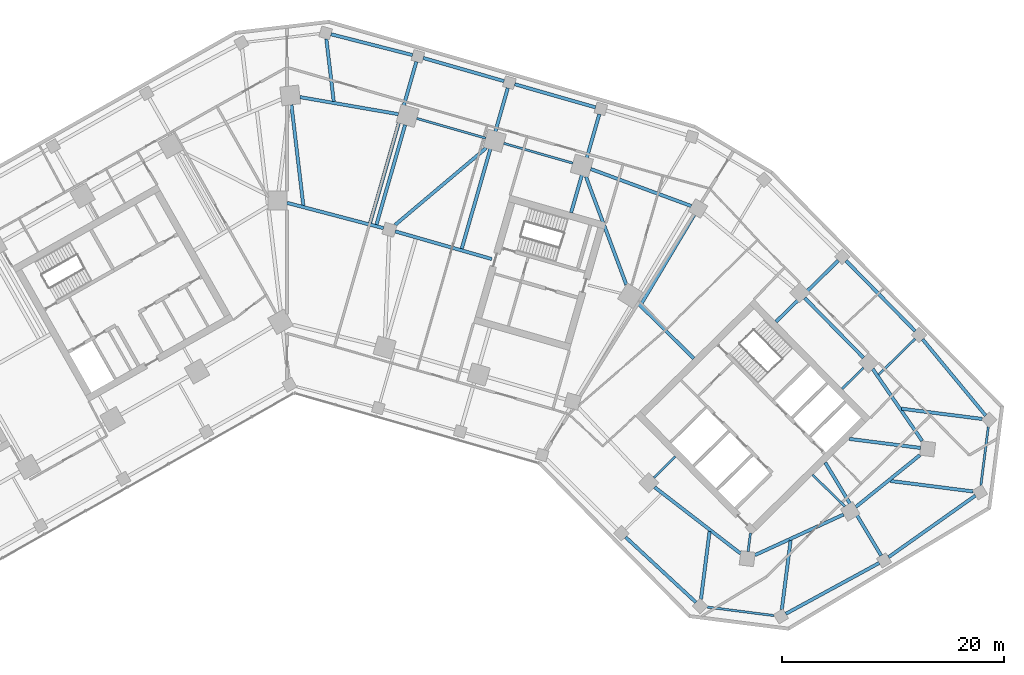
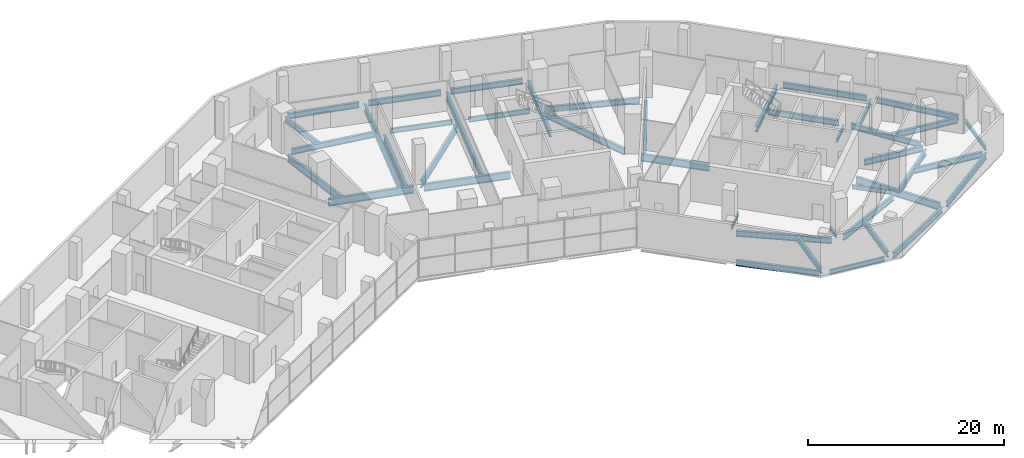
# One storey, part 6 of 16: 43 beams.
"""IFC4 building model written with IfcOpenShell, lengths in metres."""

from ifc_helpers import new_model, si_unit, direction, frame, origin, origin_2d, place, context, subcontext, project, spatial, i_section, extrude, material, material_profile, profile_set, type_object, element, save


model = new_model("IFC4")

# Units and contexts
model_context = context("Model", 3, precision=1e-05, world=origin(), true_north=direction((0.0, 1.0)))
body_context = subcontext(model_context, "Body", "Model", "MODEL_VIEW")
ifc_project = project(units=[si_unit("LENGTHUNIT", "METRE"), si_unit("AREAUNIT", "SQUARE_METRE"), si_unit("VOLUMEUNIT", "CUBIC_METRE"), si_unit("PLANEANGLEUNIT", "RADIAN"), si_unit("MASSUNIT", "GRAM", prefix="KILO")], contexts=[model_context])

# Site, building, storey
site_placement = place(None, origin())
site = spatial("IfcSite", under=ifc_project, at=site_placement, CompositionType="ELEMENT")
building_placement = place(site_placement, origin())
building = spatial("IfcBuilding", under=site, at=building_placement, Name="Binnacle Exchange Tower", CompositionType="ELEMENT")
storey_placement = place(building_placement, frame((0.0, 0.0, 21.5)))
storey = spatial("IfcBuildingStorey", under=building, at=storey_placement, Name="L04", CompositionType="ELEMENT", Elevation=21.5)

# Beams
ifc_material = material(Name="Steel S355 (SHN355)", Category="steel")
ifc_material_profile_1 = material_profile(ifc_material, i_section(OverallWidth=0.200927734375, OverallDepth=0.506103515625, WebThickness=0.010986328125, FlangeThickness=0.01904296875, FilletRadius=0.02001953125, at=origin_2d()), Name="H 506x201x11x19")
ifc_profile_set_1 = profile_set([ifc_material_profile_1], Name="Steel S355 (SHN355)")
beam_type_1 = type_object("IfcBeamType", Name="Edge girder H 506x201x11x19 Steel S355 (SHN355)", PredefinedType="SPANDREL", material=ifc_profile_set_1)
beam_1_placement = place(storey_placement, frame((63.271728515625, 39.56591796875, -0.60302734375), z_axis=(-0.126220609822, -0.992002196397, 0.0), x_axis=(0.992002196397, -0.126220609822, 0.0)))
element("IfcBeam", 1, at=beam_1_placement, inside=storey, type_object=beam_type_1, Name="S:BM:edge:L04:075", PredefinedType="SPANDREL", context=body_context, shape_type="SweptSolid", body=[
    extrude(i_section(OverallWidth=0.200927734375, OverallDepth=0.506103515625, WebThickness=0.010986328125, FlangeThickness=0.01904296875, FilletRadius=0.02001953125, at=origin_2d()), origin(), (0.0, 0.0, 1.0), 5.319091796875),
])
ifc_material_profile_2 = material_profile(ifc_material, i_section(OverallWidth=0.200927734375, OverallDepth=0.60595703125, WebThickness=0.011962890625, FlangeThickness=0.02001953125, FilletRadius=0.02197265625, at=origin_2d()), Name="H 606x201x12x20")
ifc_profile_set_2 = profile_set([ifc_material_profile_2], Name="Steel S355 (SHN355)")
beam_type_2 = type_object("IfcBeamType", Name="Edge girder H 606x201x12x20 Steel S355 (SHN355)", PredefinedType="SPANDREL", material=ifc_profile_set_2)
beam_2_placement = place(storey_placement, frame((43.931884765625, 22.540283203125, -0.653076171875), z_axis=(-0.992003760978, 0.126208312743, 0.0), x_axis=(-0.126208312743, -0.992003760978, 0.0)))
element("IfcBeam", 2, at=beam_2_placement, inside=storey, type_object=beam_type_2, Name="S:BM:edge:L04:066", PredefinedType="SPANDREL", context=body_context, shape_type="SweptSolid", body=[
    extrude(i_section(OverallWidth=0.200927734375, OverallDepth=0.60595703125, WebThickness=0.011962890625, FlangeThickness=0.02001953125, FilletRadius=0.02197265625, at=origin_2d()), origin(), (0.0, 0.0, 1.0), 6.081787109375),
])
ifc_material_profile_3 = material_profile(ifc_material, i_section(OverallWidth=0.201904296875, OverallDepth=0.612060546875, WebThickness=0.012939453125, FlangeThickness=0.02294921875, FilletRadius=0.02197265625, at=origin_2d()), Name="H 612x202x13x23")
ifc_profile_set_3 = profile_set([ifc_material_profile_3], Name="Steel S355 (SHN355)")
beam_type_3 = type_object("IfcBeamType", Name="Edge girder H 612x202x13x23 Steel S355 (SHN355)", PredefinedType="SPANDREL", material=ifc_profile_set_3)
for number, where, z_axis, x_axis, name in (
    (3, (17.92919921875, 65.610595703125, -0.656005859375), (-0.961261624999, 0.275637603213, 0.0), (-0.275637603213, -0.961261624999, 0.0), "S:BM:edge:L04:052"),
    (4, (25.78564453125, 63.35791015625, -0.656005859375), (-0.961271618025, 0.275602751036, 0.0), (-0.275602751036, -0.961271618025, 0.0), "S:BM:edge:L04:056"),
):
    element("IfcBeam", number, at=place(storey_placement, frame(where, z_axis=z_axis, x_axis=x_axis)), inside=storey, type_object=beam_type_3, Name=name, PredefinedType="SPANDREL", context=body_context, shape_type="SweptSolid", body=[
        extrude(i_section(OverallWidth=0.201904296875, OverallDepth=0.612060546875, WebThickness=0.012939453125, FlangeThickness=0.02294921875, FilletRadius=0.02197265625, at=origin_2d()), origin(), (0.0, 0.0, 1.0), 6.472900390625),
    ])
ifc_material_profile_4 = material_profile(ifc_material, i_section(OverallWidth=0.300048828125, OverallDepth=0.699951171875, WebThickness=0.012939453125, FlangeThickness=0.02392578125, FilletRadius=0.028076171875, at=origin_2d()), Name="H 700x300x13x24")
ifc_profile_set_4 = profile_set([ifc_material_profile_4], Name="Steel S355 (SHN355)")
beam_type_4 = type_object("IfcBeamType", Name="Edge girder H 700x300x13x24 Steel S355 (SHN355)", PredefinedType="SPANDREL", material=ifc_profile_set_4)
beam_3_placement = place(storey_placement, frame((3.970703125, 74.985595703125, -0.699951171875), z_axis=(0.96888078872, -0.247527811062, 0.0), x_axis=(0.247527811062, 0.96888078872, 0.0)))
element("IfcBeam", 5, at=beam_3_placement, inside=storey, type_object=beam_type_4, Name="S:BM:edge:L04:046", PredefinedType="SPANDREL", context=body_context, shape_type="SweptSolid", body=[
    extrude(i_section(OverallWidth=0.300048828125, OverallDepth=0.699951171875, WebThickness=0.012939453125, FlangeThickness=0.02392578125, FilletRadius=0.028076171875, at=origin_2d()), origin(), (0.0, 0.0, 1.0), 7.589599609375),
])
beam_4_placement = place(storey_placement, frame((10.047607421875, 67.77490234375, -0.699951171875), z_axis=(-0.985312460293, 0.17076110679, 0.0), x_axis=(-0.17076110679, -0.985312460293, 0.0)))
element("IfcBeam", 6, at=beam_4_placement, inside=storey, type_object=beam_type_4, Name="S:BM:edge:L04:049", PredefinedType="SPANDREL", context=body_context, shape_type="SweptSolid", body=[
    extrude(i_section(OverallWidth=0.300048828125, OverallDepth=0.699951171875, WebThickness=0.012939453125, FlangeThickness=0.02392578125, FilletRadius=0.028076171875, at=origin_2d()), origin(), (0.0, 0.0, 1.0), 9.005859375),
])
beam_5_placement = place(storey_placement, frame((12.289306640625, 72.84521484375, -0.699951171875), z_axis=(0.961270944274, -0.275605100996, 0.0), x_axis=(0.275605100996, 0.961270944274, 0.0)))
element("IfcBeam", 7, at=beam_5_placement, inside=storey, type_object=beam_type_4, Name="S:BM:edge:L04:050", PredefinedType="SPANDREL", context=body_context, shape_type="SweptSolid", body=[
    extrude(i_section(OverallWidth=0.300048828125, OverallDepth=0.699951171875, WebThickness=0.012939453125, FlangeThickness=0.02392578125, FilletRadius=0.028076171875, at=origin_2d()), origin(), (0.0, 0.0, 1.0), 7.586181640625),
])
beam_6_placement = place(storey_placement, frame((20.54296875, 70.478759765625, -0.699951171875), z_axis=(0.961262417922, -0.275634837948, 0.0), x_axis=(0.275634837948, 0.961262417922, 0.0)))
element("IfcBeam", 8, at=beam_6_placement, inside=storey, type_object=beam_type_4, Name="S:BM:edge:L04:054", PredefinedType="SPANDREL", context=body_context, shape_type="SweptSolid", body=[
    extrude(i_section(OverallWidth=0.300048828125, OverallDepth=0.699951171875, WebThickness=0.012939453125, FlangeThickness=0.02392578125, FilletRadius=0.028076171875, at=origin_2d()), origin(), (0.0, 0.0, 1.0), 7.58642578125),
])
beam_7_placement = place(storey_placement, frame((36.89990234375, 23.728515625, -0.699951171875), z_axis=(-0.733314595009, 0.679889479803, 0.0), x_axis=(-0.679889479803, -0.733314595009, 0.0)))
element("IfcBeam", 9, at=beam_7_placement, inside=storey, type_object=beam_type_4, Name="S:BM:edge:L04:062", PredefinedType="SPANDREL", context=body_context, shape_type="SweptSolid", body=[
    extrude(i_section(OverallWidth=0.300048828125, OverallDepth=0.699951171875, WebThickness=0.012939453125, FlangeThickness=0.02392578125, FilletRadius=0.028076171875, at=origin_2d()), origin(), (0.0, 0.0, 1.0), 8.67333984375),
])
beam_8_placement = place(storey_placement, frame((42.215576171875, 27.99365234375, -0.699951171875), z_axis=(0.909179052108, 0.416405392866, 0.0), x_axis=(-0.416405392866, 0.909179052108, 0.0)))
element("IfcBeam", 10, at=beam_8_placement, inside=storey, type_object=beam_type_4, Name="S:BM:edge:L04:064", PredefinedType="SPANDREL", context=body_context, shape_type="SweptSolid", body=[
    extrude(i_section(OverallWidth=0.300048828125, OverallDepth=0.699951171875, WebThickness=0.012939453125, FlangeThickness=0.02392578125, FilletRadius=0.028076171875, at=origin_2d()), origin(), (0.0, 0.0, 1.0), 8.801025390625),
])
beam_9_placement = place(storey_placement, frame((50.436279296875, 54.553466796875, -0.699951171875), z_axis=(0.700891088092, -0.713268310408, 0.0), x_axis=(0.713268310408, 0.700891088092, 0.0)))
element("IfcBeam", 11, at=beam_9_placement, inside=storey, type_object=beam_type_4, Name="S:BM:edge:L04:068", PredefinedType="SPANDREL", context=body_context, shape_type="SweptSolid", body=[
    extrude(i_section(OverallWidth=0.300048828125, OverallDepth=0.699951171875, WebThickness=0.012939453125, FlangeThickness=0.02392578125, FilletRadius=0.028076171875, at=origin_2d()), origin(), (0.0, 0.0, 1.0), 8.89599609375),
])
beam_10_placement = place(storey_placement, frame((52.010986328125, 45.802978515625, -0.699951171875), z_axis=(-0.700905226564, 0.713254417004, 0.0), x_axis=(-0.713254417004, -0.700905226564, 0.0)))
element("IfcBeam", 12, at=beam_10_placement, inside=storey, type_object=beam_type_4, Name="S:BM:edge:L04:070", PredefinedType="SPANDREL", context=body_context, shape_type="SweptSolid", body=[
    extrude(i_section(OverallWidth=0.300048828125, OverallDepth=0.699951171875, WebThickness=0.012939453125, FlangeThickness=0.02392578125, FilletRadius=0.028076171875, at=origin_2d()), origin(), (0.0, 0.0, 1.0), 7.57177734375),
])
beam_11_placement = place(storey_placement, frame((53.42431640625, 27.28369140625, -0.699951171875), z_axis=(-0.878284521439, -0.478138368468, 0.0), x_axis=(0.478138368468, -0.878284521439, 0.0)))
element("IfcBeam", 13, at=beam_11_placement, inside=storey, type_object=beam_type_4, Name="S:BM:edge:L04:071", PredefinedType="SPANDREL", context=body_context, shape_type="SweptSolid", body=[
    extrude(i_section(OverallWidth=0.300048828125, OverallDepth=0.699951171875, WebThickness=0.012939453125, FlangeThickness=0.02392578125, FilletRadius=0.028076171875, at=origin_2d()), origin(), (0.0, 0.0, 1.0), 9.588134765625),
])
beam_12_placement = place(storey_placement, frame((57.341796875, 47.46484375, -0.699951171875), z_axis=(0.63729683622, -0.770618415653, 0.0), x_axis=(0.770618415653, 0.63729683622, 0.0)))
element("IfcBeam", 14, at=beam_12_placement, inside=storey, type_object=beam_type_4, Name="S:BM:edge:L04:073", PredefinedType="SPANDREL", context=body_context, shape_type="SweptSolid", body=[
    extrude(i_section(OverallWidth=0.300048828125, OverallDepth=0.699951171875, WebThickness=0.012939453125, FlangeThickness=0.02392578125, FilletRadius=0.028076171875, at=origin_2d()), origin(), (0.0, 0.0, 1.0), 8.928955078125),
])
beam_13_placement = place(storey_placement, frame((62.111083984375, 33.36767578125, -0.699951171875), z_axis=(-0.815901600123, -0.578190780726, 0.0), x_axis=(0.578190780726, -0.815901600123, 0.0)))
element("IfcBeam", 15, at=beam_13_placement, inside=storey, type_object=beam_type_4, Name="S:BM:edge:L04:074", PredefinedType="SPANDREL", context=body_context, shape_type="SweptSolid", body=[
    extrude(i_section(OverallWidth=0.300048828125, OverallDepth=0.699951171875, WebThickness=0.012939453125, FlangeThickness=0.02392578125, FilletRadius=0.028076171875, at=origin_2d()), origin(), (0.0, 0.0, 1.0), 9.60693359375),
])
ifc_material_profile_5 = material_profile(ifc_material, i_section(OverallWidth=0.302001953125, OverallDepth=0.7080078125, WebThickness=0.014892578125, FlangeThickness=0.028076171875, FilletRadius=0.028076171875, at=origin_2d()), Name="H 708x302x15x28")
ifc_profile_set_5 = profile_set([ifc_material_profile_5], Name="Steel S355 (SHN355)")
beam_type_5 = type_object("IfcBeamType", Name="Edge girder H 708x302x15x28 Steel S355 (SHN355)", PredefinedType="SPANDREL", material=ifc_profile_set_5)
beam_14_placement = place(storey_placement, frame((33.160400390625, 34.12890625, -0.7041015625), z_axis=(0.791533490776, -0.611125791454, 0.0), x_axis=(0.611125791454, 0.791533490776, 0.0)))
element("IfcBeam", 16, at=beam_14_placement, inside=storey, type_object=beam_type_5, Name="S:BM:edge:L04:060", PredefinedType="SPANDREL", context=body_context, shape_type="SweptSolid", body=[
    extrude(i_section(OverallWidth=0.302001953125, OverallDepth=0.7080078125, WebThickness=0.014892578125, FlangeThickness=0.028076171875, FilletRadius=0.028076171875, at=origin_2d()), origin(), (0.0, 0.0, 1.0), 9.80712890625),
])
beam_15_placement = place(storey_placement, frame((36.464599609375, 59.490966796875, -0.7041015625), z_axis=(-0.938368148393, 0.345637408395, 0.0), x_axis=(-0.345637408395, -0.938368148393, 0.0)))
element("IfcBeam", 17, at=beam_15_placement, inside=storey, type_object=beam_type_5, Name="S:BM:edge:L04:061", PredefinedType="SPANDREL", context=body_context, shape_type="SweptSolid", body=[
    extrude(i_section(OverallWidth=0.302001953125, OverallDepth=0.7080078125, WebThickness=0.014892578125, FlangeThickness=0.028076171875, FilletRadius=0.028076171875, at=origin_2d()), origin(), (0.0, 0.0, 1.0), 9.6572265625),
])
beam_16_placement = place(storey_placement, frame((51.322265625, 32.343505859375, -0.7041015625), z_axis=(0.777568489665, 0.628798253719, 0.0), x_axis=(-0.628798253719, 0.777568489665, 0.0)))
element("IfcBeam", 18, at=beam_16_placement, inside=storey, type_object=beam_type_5, Name="S:BM:edge:L04:069", PredefinedType="SPANDREL", context=body_context, shape_type="SweptSolid", body=[
    extrude(i_section(OverallWidth=0.302001953125, OverallDepth=0.7080078125, WebThickness=0.014892578125, FlangeThickness=0.028076171875, FilletRadius=0.028076171875, at=origin_2d()), origin(), (0.0, 0.0, 1.0), 7.428955078125),
])
beam_17_placement = place(storey_placement, frame((57.305419921875, 38.299072265625, -0.7041015625), z_axis=(-0.566409202341, 0.82412415054, 0.0), x_axis=(-0.82412415054, -0.566409202341, 0.0)))
element("IfcBeam", 19, at=beam_17_placement, inside=storey, type_object=beam_type_5, Name="S:BM:edge:L04:072", PredefinedType="SPANDREL", context=body_context, shape_type="SweptSolid", body=[
    extrude(i_section(OverallWidth=0.302001953125, OverallDepth=0.7080078125, WebThickness=0.014892578125, FlangeThickness=0.028076171875, FilletRadius=0.028076171875, at=origin_2d()), origin(), (0.0, 0.0, 1.0), 7.8828125),
])
ifc_material_profile_6 = material_profile(ifc_material, i_section(OverallWidth=0.199951171875, OverallDepth=0.39990234375, WebThickness=0.008056640625, FlangeThickness=0.012939453125, FilletRadius=0.01611328125, at=origin_2d()), Name="H 400x200x8x13")
ifc_profile_set_6 = profile_set([ifc_material_profile_6], Name="Steel S355 (SHN355)")
beam_type_6 = type_object("IfcBeamType", Name="Floor beam H 400x200x8x13 Steel S355 (SHN355)", PredefinedType="BEAM", material=ifc_profile_set_6)
beam_18_placement = place(storey_placement, frame((33.104736328125, 34.985595703125, -0.550048828125), z_axis=(0.713254209224, 0.700905438004, 0.0), x_axis=(-0.700905438004, 0.713254209224, 0.0)))
element("IfcBeam", 20, at=beam_18_placement, inside=storey, type_object=beam_type_6, Name="S:BM:cross:L04:114", PredefinedType="BEAM", context=body_context, shape_type="SweptSolid", body=[
    extrude(i_section(OverallWidth=0.199951171875, OverallDepth=0.39990234375, WebThickness=0.008056640625, FlangeThickness=0.012939453125, FilletRadius=0.01611328125, at=origin_2d()), origin(), (0.0, 0.0, 1.0), 2.70849609375),
])
beam_19_placement = place(storey_placement, frame((41.601806640625, 28.319580078125, -0.550048828125), z_axis=(0.126197116971, 0.992005185303, 0.0), x_axis=(-0.992005185303, 0.126197116971, 0.0)))
element("IfcBeam", 21, at=beam_19_placement, inside=storey, type_object=beam_type_6, Name="S:BM:cross:L04:118", PredefinedType="BEAM", context=body_context, shape_type="SweptSolid", body=[
    extrude(i_section(OverallWidth=0.199951171875, OverallDepth=0.39990234375, WebThickness=0.008056640625, FlangeThickness=0.012939453125, FilletRadius=0.01611328125, at=origin_2d()), origin(), (0.0, 0.0, 1.0), 1.68115234375),
])
beam_20_placement = place(storey_placement, frame((52.003173828125, 44.8837890625, -0.550048828125), z_axis=(-0.713254209224, -0.700905438004, 0.0), x_axis=(0.700905438004, -0.713254209224, 0.0)))
element("IfcBeam", 22, at=beam_20_placement, inside=storey, type_object=beam_type_6, Name="S:BM:cross:L04:122", PredefinedType="BEAM", context=body_context, shape_type="SweptSolid", body=[
    extrude(i_section(OverallWidth=0.199951171875, OverallDepth=0.39990234375, WebThickness=0.008056640625, FlangeThickness=0.012939453125, FilletRadius=0.01611328125, at=origin_2d()), origin(), (0.0, 0.0, 1.0), 2.70849609375),
])
ifc_material_profile_7 = material_profile(ifc_material, i_section(OverallWidth=0.199951171875, OverallDepth=0.60009765625, WebThickness=0.010986328125, FlangeThickness=0.01708984375, FilletRadius=0.02197265625, at=origin_2d()), Name="H 600x200x11x17")
ifc_profile_set_7 = profile_set([ifc_material_profile_7], Name="Steel S355 (SHN355)")
beam_type_7 = type_object("IfcBeamType", Name="Floor beam H 600x200x11x17 Steel S355 (SHN355)", PredefinedType="BEAM", material=ifc_profile_set_7)
beam_21_placement = place(storey_placement, frame((56.665283203125, 47.501220703125, -0.64990234375), z_axis=(-0.713253693622, -0.70090596269, 0.0), x_axis=(0.70090596269, -0.713253693622, 0.0)))
element("IfcBeam", 23, at=beam_21_placement, inside=storey, type_object=beam_type_7, Name="S:BM:cross:L04:124", PredefinedType="BEAM", context=body_context, shape_type="SweptSolid", body=[
    extrude(i_section(OverallWidth=0.199951171875, OverallDepth=0.60009765625, WebThickness=0.010986328125, FlangeThickness=0.01708984375, FilletRadius=0.02197265625, at=origin_2d()), origin(), (0.0, 0.0, 1.0), 4.60693359375),
])
ifc_material_profile_8 = material_profile(ifc_material, i_section(OverallWidth=0.300048828125, OverallDepth=0.699951171875, WebThickness=0.012939453125, FlangeThickness=0.02392578125, FilletRadius=0.028076171875, at=origin_2d()), Name="H 700x300x13x24")
ifc_profile_set_8 = profile_set([ifc_material_profile_8], Name="Steel S355 (SHN355)")
beam_type_8 = type_object("IfcBeamType", Name="Floor beam H 700x300x13x24 Steel S355 (SHN355)", PredefinedType="BEAM", material=ifc_profile_set_8)
beam_22_placement = place(storey_placement, frame((3.5498046875, 74.571044921875, -0.699951171875), z_axis=(0.117529616855, -0.993069377819, 0.0), x_axis=(0.993069377819, 0.117529616855, 0.0)))
element("IfcBeam", 24, at=beam_22_placement, inside=storey, type_object=beam_type_8, Name="S:BM:cross:L04:104", PredefinedType="BEAM", context=body_context, shape_type="SweptSolid", body=[
    extrude(i_section(OverallWidth=0.300048828125, OverallDepth=0.699951171875, WebThickness=0.012939453125, FlangeThickness=0.02392578125, FilletRadius=0.028076171875, at=origin_2d()), origin(), (0.0, 0.0, 1.0), 5.67919921875),
])
beam_23_placement = place(storey_placement, frame((37.347412109375, 24.019775390625, -0.699951171875), z_axis=(0.126189771205, 0.992006119761, 0.0), x_axis=(-0.992006119761, 0.126189771205, 0.0)))
element("IfcBeam", 25, at=beam_23_placement, inside=storey, type_object=beam_type_8, Name="S:BM:cross:L04:117", PredefinedType="BEAM", context=body_context, shape_type="SweptSolid", body=[
    extrude(i_section(OverallWidth=0.300048828125, OverallDepth=0.699951171875, WebThickness=0.012939453125, FlangeThickness=0.02392578125, FilletRadius=0.028076171875, at=origin_2d()), origin(), (0.0, 0.0, 1.0), 6.162109375),
])
beam_24_placement = place(storey_placement, frame((44.643798828125, 23.091552734375, -0.699951171875), z_axis=(0.126227881038, 0.992001271193, 0.0), x_axis=(-0.992001271193, 0.126227881038, 0.0)))
element("IfcBeam", 26, at=beam_24_placement, inside=storey, type_object=beam_type_8, Name="S:BM:cross:L04:120", PredefinedType="BEAM", context=body_context, shape_type="SweptSolid", body=[
    extrude(i_section(OverallWidth=0.300048828125, OverallDepth=0.699951171875, WebThickness=0.012939453125, FlangeThickness=0.02392578125, FilletRadius=0.028076171875, at=origin_2d()), origin(), (0.0, 0.0, 1.0), 6.287841796875),
])
beam_25_placement = place(storey_placement, frame((57.154296875, 37.6630859375, -0.699951171875), z_axis=(-0.992006658356, 0.126185537116, 0.0), x_axis=(-0.126185537116, -0.992006658356, 0.0)))
element("IfcBeam", 27, at=beam_25_placement, inside=storey, type_object=beam_type_8, Name="S:BM:cross:L04:125", PredefinedType="BEAM", context=body_context, shape_type="SweptSolid", body=[
    extrude(i_section(OverallWidth=0.300048828125, OverallDepth=0.699951171875, WebThickness=0.012939453125, FlangeThickness=0.02392578125, FilletRadius=0.028076171875, at=origin_2d()), origin(), (0.0, 0.0, 1.0), 6.4814453125),
])
ifc_material_profile_9 = material_profile(ifc_material, i_section(OverallWidth=0.302001953125, OverallDepth=0.7080078125, WebThickness=0.014892578125, FlangeThickness=0.028076171875, FilletRadius=0.028076171875, at=origin_2d()), Name="H 708x302x15x28")
ifc_profile_set_9 = profile_set([ifc_material_profile_9], Name="Steel S355 (SHN355)")
beam_type_9 = type_object("IfcBeamType", Name="Floor beam H 708x302x15x28 Steel S355 (SHN355)", PredefinedType="BEAM", material=ifc_profile_set_9)
beam_26_placement = place(storey_placement, frame((49.72900390625, 54.5595703125, -0.7041015625), z_axis=(-0.713254513072, -0.700905128803, 0.0), x_axis=(0.700905128803, -0.713254513072, 0.0)))
element("IfcBeam", 28, at=beam_26_placement, inside=storey, type_object=beam_type_9, Name="S:BM:cross:L04:121", PredefinedType="BEAM", context=body_context, shape_type="SweptSolid", body=[
    extrude(i_section(OverallWidth=0.302001953125, OverallDepth=0.7080078125, WebThickness=0.014892578125, FlangeThickness=0.028076171875, FilletRadius=0.028076171875, at=origin_2d()), origin(), (0.0, 0.0, 1.0), 7.8681640625),
])
beam_27_placement = place(storey_placement, frame((61.888427734375, 33.73779296875, -0.7041015625), z_axis=(-0.992002917096, 0.12621494552, 0.0), x_axis=(-0.12621494552, -0.992002917096, 0.0)))
element("IfcBeam", 29, at=beam_27_placement, inside=storey, type_object=beam_type_9, Name="S:BM:cross:L04:126", PredefinedType="BEAM", context=body_context, shape_type="SweptSolid", body=[
    extrude(i_section(OverallWidth=0.302001953125, OverallDepth=0.7080078125, WebThickness=0.014892578125, FlangeThickness=0.028076171875, FilletRadius=0.028076171875, at=origin_2d()), origin(), (0.0, 0.0, 1.0), 7.551513671875),
])
beam_28_placement = place(storey_placement, frame((62.720458984375, 40.277587890625, -0.7041015625), z_axis=(-0.992000413131, 0.126234624202, 0.0), x_axis=(-0.126234624202, -0.992000413131, 0.0)))
element("IfcBeam", 30, at=beam_28_placement, inside=storey, type_object=beam_type_9, Name="S:BM:cross:L04:127", PredefinedType="BEAM", context=body_context, shape_type="SweptSolid", body=[
    extrude(i_section(OverallWidth=0.302001953125, OverallDepth=0.7080078125, WebThickness=0.014892578125, FlangeThickness=0.028076171875, FilletRadius=0.028076171875, at=origin_2d()), origin(), (0.0, 0.0, 1.0), 7.333740234375),
])
ifc_material_profile_10 = material_profile(ifc_material, i_section(OverallWidth=0.302001953125, OverallDepth=0.80810546875, WebThickness=0.01611328125, FlangeThickness=0.030029296875, FilletRadius=0.028076171875, at=origin_2d()), Name="H 808x302x16x30")
ifc_profile_set_10 = profile_set([ifc_material_profile_10], Name="Steel S355 (SHN355)")
beam_type_10 = type_object("IfcBeamType", Name="Floor beam H 808x302x16x30 Steel S355 (SHN355)", PredefinedType="BEAM", material=ifc_profile_set_10)
beam_29_placement = place(storey_placement, frame((28.17822265625, 67.769287109375, -0.75390625), z_axis=(-0.275646254267, -0.961259144304, 0.0), x_axis=(0.961259144304, -0.275646254267, 0.0)))
element("IfcBeam", 31, at=beam_29_placement, inside=storey, type_object=beam_type_10, Name="S:BM:cross:L04:112", PredefinedType="BEAM", context=body_context, shape_type="SweptSolid", body=[
    extrude(i_section(OverallWidth=0.302001953125, OverallDepth=0.80810546875, WebThickness=0.01611328125, FlangeThickness=0.030029296875, FilletRadius=0.028076171875, at=origin_2d()), origin(), (0.0, 0.0, 1.0), 9.235107421875),
])
ifc_material_profile_11 = material_profile(ifc_material, i_section(OverallWidth=0.300048828125, OverallDepth=0.89990234375, WebThickness=0.01611328125, FlangeThickness=0.028076171875, FilletRadius=0.028076171875, at=origin_2d()), Name="H 900x300x16x28")
ifc_profile_set_11 = profile_set([ifc_material_profile_11], Name="Steel S355 (SHN355)")
beam_type_11 = type_object("IfcBeamType", Name="Floor beam H 900x300x16x28 Steel S355 (SHN355)", PredefinedType="BEAM", material=ifc_profile_set_11)
beam_30_placement = place(storey_placement, frame((0.39990234375, 68.6201171875, -0.800048828125), z_axis=(0.117562643201, -0.993065468599, 0.0), x_axis=(0.993065468599, 0.117562643201, 0.0)))
element("IfcBeam", 32, at=beam_30_placement, inside=storey, type_object=beam_type_11, Name="S:BM:cross:L04:103", PredefinedType="BEAM", context=body_context, shape_type="SweptSolid", body=[
    extrude(i_section(OverallWidth=0.300048828125, OverallDepth=0.89990234375, WebThickness=0.01611328125, FlangeThickness=0.028076171875, FilletRadius=0.028076171875, at=origin_2d()), origin(), (0.0, 0.0, 1.0), 9.14990234375),
])
beam_31_placement = place(storey_placement, frame((36.752685546875, 58.703857421875, -0.800048828125), z_axis=(-0.511298188751, -0.859403375709, 0.0), x_axis=(0.859403375709, -0.511298188751, 0.0)))
element("IfcBeam", 33, at=beam_31_placement, inside=storey, type_object=beam_type_11, Name="S:BM:cross:L04:116", PredefinedType="BEAM", context=body_context, shape_type="SweptSolid", body=[
    extrude(i_section(OverallWidth=0.300048828125, OverallDepth=0.89990234375, WebThickness=0.01611328125, FlangeThickness=0.028076171875, FilletRadius=0.028076171875, at=origin_2d()), origin(), (0.0, 0.0, 1.0), 9.385986328125),
])
ifc_material_profile_12 = material_profile(ifc_material, i_section(OverallWidth=0.302001953125, OverallDepth=0.912109375, WebThickness=0.01806640625, FlangeThickness=0.033935546875, FilletRadius=0.028076171875, at=origin_2d()), Name="H 912x302x18x34")
ifc_profile_set_12 = profile_set([ifc_material_profile_12], Name="Steel S355 (SHN355)")
beam_type_12 = type_object("IfcBeamType", Name="Floor beam H 912x302x18x34 Steel S355 (SHN355)", PredefinedType="BEAM", material=ifc_profile_set_12)
beam_32_placement = place(storey_placement, frame((10.65576171875, 66.81201171875, -0.805908203125), z_axis=(-0.275626703457, -0.961264750389, 0.0), x_axis=(0.961264750389, -0.275626703457, 0.0)))
element("IfcBeam", 34, at=beam_32_placement, inside=storey, type_object=beam_type_12, Name="S:BM:cross:L04:107", PredefinedType="BEAM", context=body_context, shape_type="SweptSolid", body=[
    extrude(i_section(OverallWidth=0.302001953125, OverallDepth=0.912109375, WebThickness=0.01806640625, FlangeThickness=0.033935546875, FilletRadius=0.028076171875, at=origin_2d()), origin(), (0.0, 0.0, 1.0), 9.363525390625),
])
beam_33_placement = place(storey_placement, frame((53.606201171875, 27.95166015625, -0.805908203125), z_axis=(-0.515037836235, 0.857167444112, 0.0), x_axis=(-0.857167444112, -0.515037836235, 0.0)))
element("IfcBeam", 35, at=beam_33_placement, inside=storey, type_object=beam_type_12, Name="S:BM:cross:L04:123", PredefinedType="BEAM", context=body_context, shape_type="SweptSolid", body=[
    extrude(i_section(OverallWidth=0.302001953125, OverallDepth=0.912109375, WebThickness=0.01806640625, FlangeThickness=0.033935546875, FilletRadius=0.028076171875, at=origin_2d()), origin(), (0.0, 0.0, 1.0), 9.800537109375),
])
ifc_material_profile_13 = material_profile(ifc_material, i_section(OverallWidth=0.302978515625, OverallDepth=0.91796875, WebThickness=0.01904296875, FlangeThickness=0.037109375, FilletRadius=0.028076171875, at=origin_2d()), Name="H 918x303x19x37")
ifc_profile_set_13 = profile_set([ifc_material_profile_13], Name="Steel S355 (SHN355)")
beam_type_13 = type_object("IfcBeamType", Name="Floor beam H 918x303x19x37 Steel S355 (SHN355)", PredefinedType="BEAM", material=ifc_profile_set_13)
beam_34_placement = place(storey_placement, frame((11.6708984375, 72.50244140625, -0.80908203125), z_axis=(-0.275622715185, -0.961265893951, 0.0), x_axis=(0.961265893951, -0.275622715185, 0.0)))
element("IfcBeam", 36, at=beam_34_placement, inside=storey, type_object=beam_type_13, Name="S:BM:cross:L04:108", PredefinedType="BEAM", context=body_context, shape_type="SweptSolid", body=[
    extrude(i_section(OverallWidth=0.302978515625, OverallDepth=0.91796875, WebThickness=0.01904296875, FlangeThickness=0.037109375, FilletRadius=0.028076171875, at=origin_2d()), origin(), (0.0, 0.0, 1.0), 15.12646484375),
])
beam_35_placement = place(storey_placement, frame((19.924560546875, 70.135986328125, -0.80908203125), z_axis=(-0.275629445944, -0.961263964023, 0.0), x_axis=(0.961263964023, -0.275629445944, 0.0)))
element("IfcBeam", 37, at=beam_35_placement, inside=storey, type_object=beam_type_13, Name="S:BM:cross:L04:110", PredefinedType="BEAM", context=body_context, shape_type="SweptSolid", body=[
    extrude(i_section(OverallWidth=0.302978515625, OverallDepth=0.91796875, WebThickness=0.01904296875, FlangeThickness=0.037109375, FilletRadius=0.028076171875, at=origin_2d()), origin(), (0.0, 0.0, 1.0), 15.085205078125),
])
ifc_material_profile_14 = material_profile(ifc_material, i_section(OverallWidth=0.199951171875, OverallDepth=0.5, WebThickness=0.010009765625, FlangeThickness=0.01611328125, FilletRadius=0.02001953125, at=origin_2d()), Name="H 500x200x10x16")
ifc_profile_set_14 = profile_set([ifc_material_profile_14], Name="Steel S355 (SHN355)")
beam_type_14 = type_object("IfcBeamType", Name="Spine girder H 500x200x10x16 Steel S355 (SHN355)", PredefinedType="BEAM", material=ifc_profile_set_14)
beam_36_placement = place(storey_placement, frame((47.417236328125, 35.23095703125, -0.60009765625), z_axis=(0.717013275689, -0.697059511437, 0.0), x_axis=(0.697059511437, 0.717013275689, 0.0)))
element("IfcBeam", 38, at=beam_36_placement, inside=storey, type_object=beam_type_14, Name="S:BM:spine:L04:013", PredefinedType="BEAM", context=body_context, shape_type="SweptSolid", body=[
    extrude(i_section(OverallWidth=0.199951171875, OverallDepth=0.5, WebThickness=0.010009765625, FlangeThickness=0.01611328125, FilletRadius=0.02001953125, at=origin_2d()), origin(), (0.0, 0.0, 1.0), 4.06201171875),
])
ifc_material_profile_15 = material_profile(ifc_material, i_section(OverallWidth=0.302001953125, OverallDepth=0.80810546875, WebThickness=0.01611328125, FlangeThickness=0.030029296875, FilletRadius=0.028076171875, at=origin_2d()), Name="H 808x302x16x30")
ifc_profile_set_15 = profile_set([ifc_material_profile_15], Name="Steel S355 (SHN355)")
beam_type_15 = type_object("IfcBeamType", Name="Spine girder H 808x302x16x30 Steel S355 (SHN355)", PredefinedType="BEAM", material=ifc_profile_set_15)
beam_37_placement = place(storey_placement, frame((30.614501953125, 52.389892578125, -0.75390625), z_axis=(-0.350104624168, 0.936710602126, 0.0), x_axis=(-0.936710602126, -0.350104624168, 0.0)))
element("IfcBeam", 39, at=beam_37_placement, inside=storey, type_object=beam_type_15, Name="S:BM:spine:L04:011", PredefinedType="BEAM", context=body_context, shape_type="SweptSolid", body=[
    extrude(i_section(OverallWidth=0.302001953125, OverallDepth=0.80810546875, WebThickness=0.01611328125, FlangeThickness=0.030029296875, FilletRadius=0.028076171875, at=origin_2d()), origin(), (0.0, 0.0, 1.0), 10.4013671875),
])
ifc_material_profile_16 = material_profile(ifc_material, i_section(OverallWidth=0.300048828125, OverallDepth=0.89990234375, WebThickness=0.01611328125, FlangeThickness=0.028076171875, FilletRadius=0.028076171875, at=origin_2d()), Name="H 900x300x16x28")
ifc_profile_set_16 = profile_set([ifc_material_profile_16], Name="Steel S355 (SHN355)")
beam_type_16 = type_object("IfcBeamType", Name="Spine girder H 900x300x16x28 Steel S355 (SHN355)", PredefinedType="BEAM", material=ifc_profile_set_16)
beam_38_placement = place(storey_placement, frame((9.74658203125, 57.77734375, -0.800048828125), z_axis=(0.764072930463, 0.64512987602, 0.0), x_axis=(-0.64512987602, 0.764072930463, 0.0)))
element("IfcBeam", 40, at=beam_38_placement, inside=storey, type_object=beam_type_16, Name="S:BM:spine:L04:008", PredefinedType="BEAM", context=body_context, shape_type="SweptSolid", body=[
    extrude(i_section(OverallWidth=0.300048828125, OverallDepth=0.89990234375, WebThickness=0.01611328125, FlangeThickness=0.028076171875, FilletRadius=0.028076171875, at=origin_2d()), origin(), (0.0, 0.0, 1.0), 10.755615234375),
])
beam_39_placement = place(storey_placement, frame((31.60888671875, 50.773681640625, -0.800048828125), z_axis=(0.711013452478, -0.703178405809, 0.0), x_axis=(0.703178405809, 0.711013452478, 0.0)))
element("IfcBeam", 41, at=beam_39_placement, inside=storey, type_object=beam_type_16, Name="S:BM:spine:L04:012", PredefinedType="BEAM", context=body_context, shape_type="SweptSolid", body=[
    extrude(i_section(OverallWidth=0.300048828125, OverallDepth=0.89990234375, WebThickness=0.01611328125, FlangeThickness=0.028076171875, FilletRadius=0.028076171875, at=origin_2d()), origin(), (0.0, 0.0, 1.0), 7.166748046875),
])
ifc_material_profile_17 = material_profile(ifc_material, i_section(OverallWidth=0.302978515625, OverallDepth=0.91796875, WebThickness=0.01904296875, FlangeThickness=0.037109375, FilletRadius=0.028076171875, at=origin_2d()), Name="H 918x303x19x37")
ifc_profile_set_17 = profile_set([ifc_material_profile_17], Name="Steel S355 (SHN355)")
beam_type_17 = type_object("IfcBeamType", Name="Spine girder H 918x303x19x37 Steel S355 (SHN355)", PredefinedType="BEAM", material=ifc_profile_set_17)
beam_40_placement = place(storey_placement, frame((0.0, 59.77685546875, -0.80908203125), z_axis=(0.967208571477, -0.253983423202, 0.0), x_axis=(0.253983423202, 0.967208571477, 0.0)))
element("IfcBeam", 42, at=beam_40_placement, inside=storey, type_object=beam_type_17, Name="S:BM:spine:L04:006", PredefinedType="BEAM", context=body_context, shape_type="SweptSolid", body=[
    extrude(i_section(OverallWidth=0.302978515625, OverallDepth=0.91796875, WebThickness=0.01904296875, FlangeThickness=0.037109375, FilletRadius=0.028076171875, at=origin_2d()), origin(), (0.0, 0.0, 1.0), 9.00390625),
])
beam_41_placement = place(storey_placement, frame((9.76953125, 57.198486328125, -0.80908203125), z_axis=(0.961265329417, -0.275624684057, 0.0), x_axis=(0.275624684057, 0.961265329417, 0.0)))
element("IfcBeam", 43, at=beam_41_placement, inside=storey, type_object=beam_type_17, Name="S:BM:spine:L04:009", PredefinedType="BEAM", context=body_context, shape_type="SweptSolid", body=[
    extrude(i_section(OverallWidth=0.302978515625, OverallDepth=0.91796875, WebThickness=0.01904296875, FlangeThickness=0.037109375, FilletRadius=0.028076171875, at=origin_2d()), origin(), (0.0, 0.0, 1.0), 9.063232421875),
])

save(model, "model.ifc")
